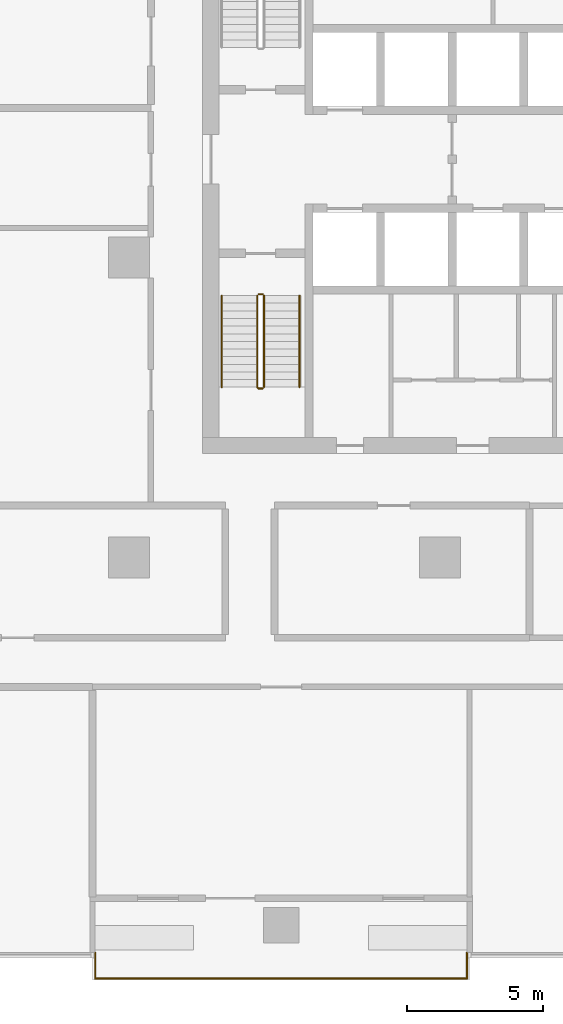
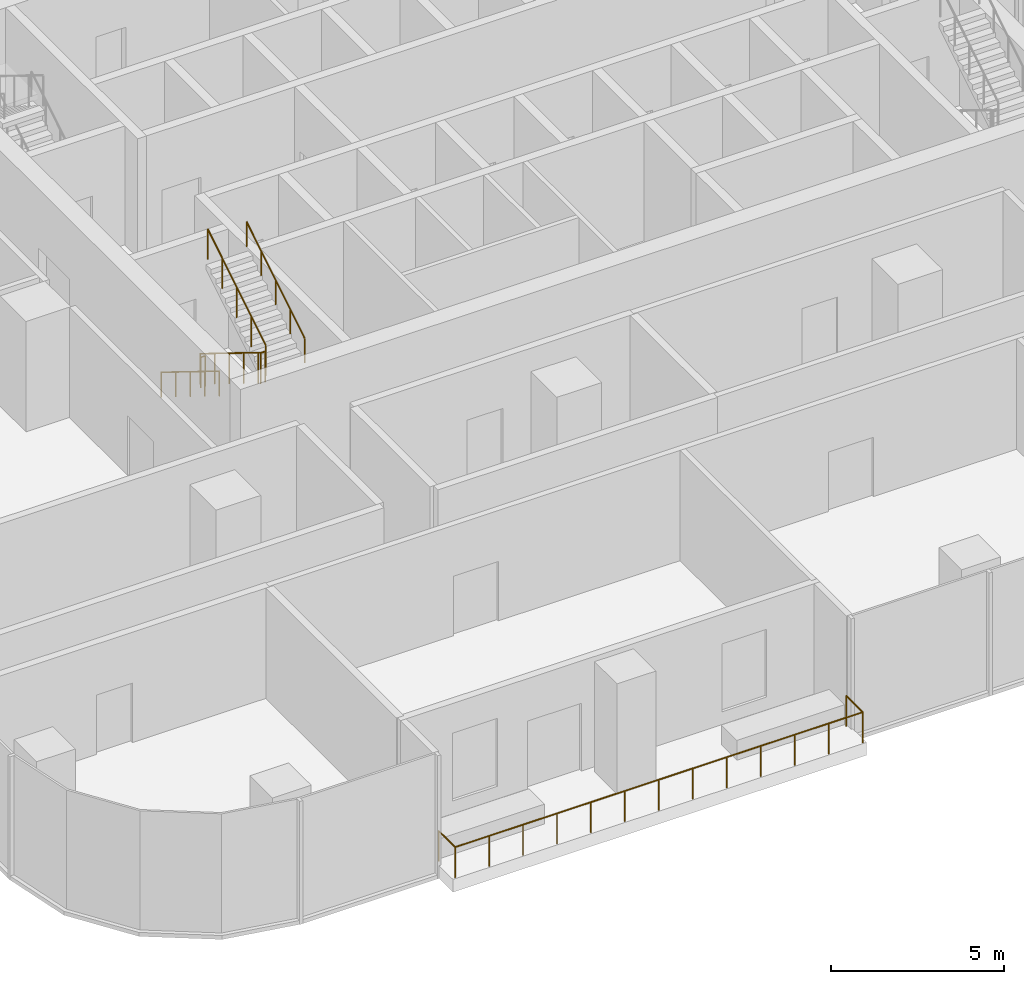
# One storey, part 12 of 14: 6 railings.
"""IFC4 building model written with IfcOpenShell, lengths in metres."""

from ifc_helpers import new_model, si_unit, direction, frame, origin, origin_2d, place, context, subcontext, project, spatial, circle, extrude, material, type_object, element, save


model = new_model("IFC4")

# Units and contexts
model_context = context("Model", 3, precision=1e-05, world=origin(), true_north=direction((0.0, 1.0)))
body_context = subcontext(model_context, "Body", "Model", "MODEL_VIEW")
ifc_project = project(units=[si_unit("LENGTHUNIT", "METRE"), si_unit("AREAUNIT", "SQUARE_METRE"), si_unit("VOLUMEUNIT", "CUBIC_METRE"), si_unit("PLANEANGLEUNIT", "RADIAN"), si_unit("MASSUNIT", "GRAM", prefix="KILO")], contexts=[model_context])

# Site, building, storey
site_placement = place(None, origin())
site = spatial("IfcSite", under=ifc_project, at=site_placement, CompositionType="ELEMENT")
building_placement = place(site_placement, origin())
building = spatial("IfcBuilding", under=site, at=building_placement, Name="Mopane Tessera Tower", CompositionType="ELEMENT")
storey_placement = place(building_placement, frame((0.0, 0.0, 144.10009765625)))
storey = spatial("IfcBuildingStorey", under=building, at=storey_placement, Name="L29", CompositionType="ELEMENT", Elevation=144.10009765625)

# Railings
ifc_material_1 = material(Name="Powder-coated steel balustrade", Category="steel")
railing_type_1 = type_object("IfcRailingType", Name="Escape stair guard 1100 mm", PredefinedType="GUARDRAIL", material=ifc_material_1)
railing_1_placement = place(storey_placement, frame((-12.39990234375, -1.39990234375, 0.173095703125)))
element("IfcRailing", 1, at=railing_1_placement, inside=storey, type_object=railing_type_1, Name="L29 ST1 stair guard 1", PredefinedType="GUARDRAIL", context=body_context, shape_type="SweptSolid", body=[
    extrude(circle(Radius=0.02392578125, at=origin_2d()), frame((0.0, 0.0, 1.076171875), z_axis=(0.0, -0.850623216509, 0.525775754039), x_axis=(1.0, 0.0, 0.0)), (0.0, 0.0, 1.0), 3.9501953125),
    extrude(circle(Radius=0.02392578125, at=origin_2d()), frame((0.0, -3.360107421875, 3.15283203125), z_axis=(0.705375805398, -0.708833529934, 0.0), x_axis=(0.708833529934, 0.705375805398, 0.0)), (0.0, 0.0, 1.0), 0.070556640625),
    extrude(circle(Radius=0.02392578125, at=origin_2d()), frame((0.0498046875, -3.41015625, 3.15283203125), z_axis=(1.0, 0.0, 0.0), x_axis=(0.0, 1.0, 0.0)), (0.0, 0.0, 1.0), 0.150146484375),
    extrude(circle(Radius=0.02099609375, at=origin_2d()), origin(), (0.0, 0.0, 1.0), 1.052001953125),
    extrude(circle(Radius=0.02099609375, at=origin_2d()), frame((0.0, -0.840087890625, 0.519287109375)), (0.0, 0.0, 1.0), 1.052001953125),
    extrude(circle(Radius=0.02099609375, at=origin_2d()), frame((0.0, -1.68017578125, 1.03857421875)), (0.0, 0.0, 1.0), 1.052001953125),
    extrude(circle(Radius=0.02099609375, at=origin_2d()), frame((0.0, -2.52001953125, 1.5576171875)), (0.0, 0.0, 1.0), 1.052001953125),
    extrude(circle(Radius=0.02099609375, at=origin_2d()), frame((0.0, -3.360107421875, 2.076904296875)), (0.0, 0.0, 1.0), 1.052001953125),
    extrude(circle(Radius=0.02099609375, at=origin_2d()), frame((0.0498046875, -3.41015625, 2.076904296875)), (0.0, 0.0, 1.0), 1.052001953125),
    extrude(circle(Radius=0.02099609375, at=origin_2d()), frame((0.199951171875, -3.41015625, 2.076904296875)), (0.0, 0.0, 1.0), 1.052001953125),
])
railing_2_placement = place(storey_placement, frame((-12.14990234375, -4.760009765625, 2.423095703125)))
element("IfcRailing", 2, at=railing_2_placement, inside=storey, type_object=railing_type_1, Name="L29 ST1 stair guard 2", PredefinedType="GUARDRAIL", context=body_context, shape_type="SweptSolid", body=[
    extrude(circle(Radius=0.02392578125, at=origin_2d()), frame((0.0, 0.0, 1.076171875), z_axis=(0.0, 0.850623216509, 0.525775754039), x_axis=(-1.0, 0.0, 0.0)), (0.0, 0.0, 1.0), 3.9501953125),
    extrude(circle(Radius=0.02099609375, at=origin_2d()), origin(), (0.0, 0.0, 1.0), 1.052001953125),
    extrude(circle(Radius=0.02099609375, at=origin_2d()), frame((0.0, 0.840087890625, 0.519287109375)), (0.0, 0.0, 1.0), 1.052001953125),
    extrude(circle(Radius=0.02099609375, at=origin_2d()), frame((0.0, 1.68017578125, 1.03857421875)), (0.0, 0.0, 1.0), 1.052001953125),
    extrude(circle(Radius=0.02099609375, at=origin_2d()), frame((0.0, 2.52001953125, 1.5576171875)), (0.0, 0.0, 1.0), 1.052001953125),
    extrude(circle(Radius=0.02099609375, at=origin_2d()), frame((0.0, 3.360107421875, 2.076904296875)), (0.0, 0.0, 1.0), 1.052001953125),
])
railing_3_placement = place(storey_placement, frame((-12.35009765625, -1.35009765625, 0.0)))
element("IfcRailing", 3, at=railing_3_placement, inside=storey, type_object=railing_type_1, Name="L29 ST1 stair guard 3", PredefinedType="GUARDRAIL", context=body_context, shape_type="SweptSolid", body=[
    extrude(circle(Radius=0.02392578125, at=origin_2d()), frame((0.0, 0.0, 1.076171875), z_axis=(1.0, 0.0, 0.0), x_axis=(0.0, 1.0, 0.0)), (0.0, 0.0, 1.0), 0.150146484375),
    extrude(circle(Radius=0.02099609375, at=origin_2d()), origin(), (0.0, 0.0, 1.0), 1.052001953125),
    extrude(circle(Radius=0.02099609375, at=origin_2d()), frame((0.150146484375, 0.0, 0.0)), (0.0, 0.0, 1.0), 1.052001953125),
])
ifc_material_2 = material(Name="Powder-coated steel balustrade", Category="steel")
railing_type_2 = type_object("IfcRailingType", Name="Escape stair handrail 900 mm", PredefinedType="HANDRAIL", material=ifc_material_2)
railing_4_placement = place(storey_placement, frame((-13.699951171875, -1.39990234375, 0.173095703125)))
element("IfcRailing", 4, at=railing_4_placement, inside=storey, type_object=railing_type_2, Name="L29 ST1 stair handrail 1", PredefinedType="HANDRAIL", context=body_context, shape_type="SweptSolid", body=[
    extrude(circle(Radius=0.02392578125, at=origin_2d()), frame((0.0, 0.0, 0.8759765625), z_axis=(0.0, -0.850623216509, 0.525775754039), x_axis=(1.0, 0.0, 0.0)), (0.0, 0.0, 1.0), 3.9501953125),
    extrude(circle(Radius=0.02099609375, at=origin_2d()), origin(), (0.0, 0.0, 1.0), 0.851806640625),
    extrude(circle(Radius=0.02099609375, at=origin_2d()), frame((0.0, -0.840087890625, 0.519287109375)), (0.0, 0.0, 1.0), 0.851806640625),
    extrude(circle(Radius=0.02099609375, at=origin_2d()), frame((0.0, -1.68017578125, 1.03857421875)), (0.0, 0.0, 1.0), 0.851806640625),
    extrude(circle(Radius=0.02099609375, at=origin_2d()), frame((0.0, -2.52001953125, 1.5576171875)), (0.0, 0.0, 1.0), 0.851806640625),
    extrude(circle(Radius=0.02099609375, at=origin_2d()), frame((0.0, -3.360107421875, 2.076904296875)), (0.0, 0.0, 1.0), 0.851806640625),
])
railing_5_placement = place(storey_placement, frame((-10.85009765625, -4.760009765625, 2.423095703125)))
element("IfcRailing", 5, at=railing_5_placement, inside=storey, type_object=railing_type_2, Name="L29 ST1 stair handrail 2", PredefinedType="HANDRAIL", context=body_context, shape_type="SweptSolid", body=[
    extrude(circle(Radius=0.02392578125, at=origin_2d()), frame((0.0, 0.0, 0.8759765625), z_axis=(0.0, 0.850623216509, 0.525775754039), x_axis=(-1.0, 0.0, 0.0)), (0.0, 0.0, 1.0), 3.9501953125),
    extrude(circle(Radius=0.02099609375, at=origin_2d()), origin(), (0.0, 0.0, 1.0), 0.851806640625),
    extrude(circle(Radius=0.02099609375, at=origin_2d()), frame((0.0, 0.840087890625, 0.519287109375)), (0.0, 0.0, 1.0), 0.851806640625),
    extrude(circle(Radius=0.02099609375, at=origin_2d()), frame((0.0, 1.68017578125, 1.03857421875)), (0.0, 0.0, 1.0), 0.851806640625),
    extrude(circle(Radius=0.02099609375, at=origin_2d()), frame((0.0, 2.52001953125, 1.5576171875)), (0.0, 0.0, 1.0), 0.851806640625),
    extrude(circle(Radius=0.02099609375, at=origin_2d()), frame((0.0, 3.360107421875, 2.076904296875)), (0.0, 0.0, 1.0), 0.851806640625),
])
ifc_material_3 = material(Name="Stainless steel S316", Category="steel")
railing_type_3 = type_object("IfcRailingType", Name="Terrace guard 1100", PredefinedType="GUARDRAIL", material=ifc_material_3)
railing_6_placement = place(storey_placement, frame((-18.340087890625, -25.5, 0.0)))
element("IfcRailing", 6, at=railing_6_placement, inside=storey, type_object=railing_type_3, Name="e:nw:L29:N2:guard", PredefinedType="GUARDRAIL", context=body_context, shape_type="SweptSolid", body=[
    extrude(circle(Radius=0.02392578125, at=origin_2d()), frame((0.0, 0.0, 1.076171875), z_axis=(0.0, -1.0, 0.0), x_axis=(1.0, 0.0, 0.0)), (0.0, 0.0, 1.0), 0.949951171875),
    extrude(circle(Radius=0.02392578125, at=origin_2d()), frame((0.0, -0.949951171875, 1.076171875), z_axis=(1.0, 0.0, 0.0), x_axis=(0.0, 1.0, 0.0)), (0.0, 0.0, 1.0), 13.630126953125),
    extrude(circle(Radius=0.02392578125, at=origin_2d()), frame((13.630126953125, -0.949951171875, 1.076171875), z_axis=(0.0, 1.0, 0.0), x_axis=(-1.0, 0.0, 0.0)), (0.0, 0.0, 1.0), 0.949951171875),
    extrude(circle(Radius=0.02099609375, at=origin_2d()), origin(), (0.0, 0.0, 1.0), 1.052001953125),
    extrude(circle(Radius=0.02099609375, at=origin_2d()), frame((0.0, -0.949951171875, 0.0)), (0.0, 0.0, 1.0), 1.052001953125),
    extrude(circle(Radius=0.02099609375, at=origin_2d()), frame((1.1357421875, -0.949951171875, 0.0)), (0.0, 0.0, 1.0), 1.052001953125),
    extrude(circle(Radius=0.02099609375, at=origin_2d()), frame((2.271728515625, -0.949951171875, 0.0)), (0.0, 0.0, 1.0), 1.052001953125),
    extrude(circle(Radius=0.02099609375, at=origin_2d()), frame((3.407470703125, -0.949951171875, 0.0)), (0.0, 0.0, 1.0), 1.052001953125),
    extrude(circle(Radius=0.02099609375, at=origin_2d()), frame((4.54345703125, -0.949951171875, 0.0)), (0.0, 0.0, 1.0), 1.052001953125),
    extrude(circle(Radius=0.02099609375, at=origin_2d()), frame((5.67919921875, -0.949951171875, 0.0)), (0.0, 0.0, 1.0), 1.052001953125),
    extrude(circle(Radius=0.02099609375, at=origin_2d()), frame((6.81494140625, -0.949951171875, 0.0)), (0.0, 0.0, 1.0), 1.052001953125),
    extrude(circle(Radius=0.02099609375, at=origin_2d()), frame((7.950927734375, -0.949951171875, 0.0)), (0.0, 0.0, 1.0), 1.052001953125),
    extrude(circle(Radius=0.02099609375, at=origin_2d()), frame((9.086669921875, -0.949951171875, 0.0)), (0.0, 0.0, 1.0), 1.052001953125),
    extrude(circle(Radius=0.02099609375, at=origin_2d()), frame((10.22265625, -0.949951171875, 0.0)), (0.0, 0.0, 1.0), 1.052001953125),
    extrude(circle(Radius=0.02099609375, at=origin_2d()), frame((11.3583984375, -0.949951171875, 0.0)), (0.0, 0.0, 1.0), 1.052001953125),
    extrude(circle(Radius=0.02099609375, at=origin_2d()), frame((12.494384765625, -0.949951171875, 0.0)), (0.0, 0.0, 1.0), 1.052001953125),
    extrude(circle(Radius=0.02099609375, at=origin_2d()), frame((13.630126953125, -0.949951171875, 0.0)), (0.0, 0.0, 1.0), 1.052001953125),
    extrude(circle(Radius=0.02099609375, at=origin_2d()), frame((13.630126953125, 0.0, 0.0)), (0.0, 0.0, 1.0), 1.052001953125),
])

save(model, "model.ifc")
